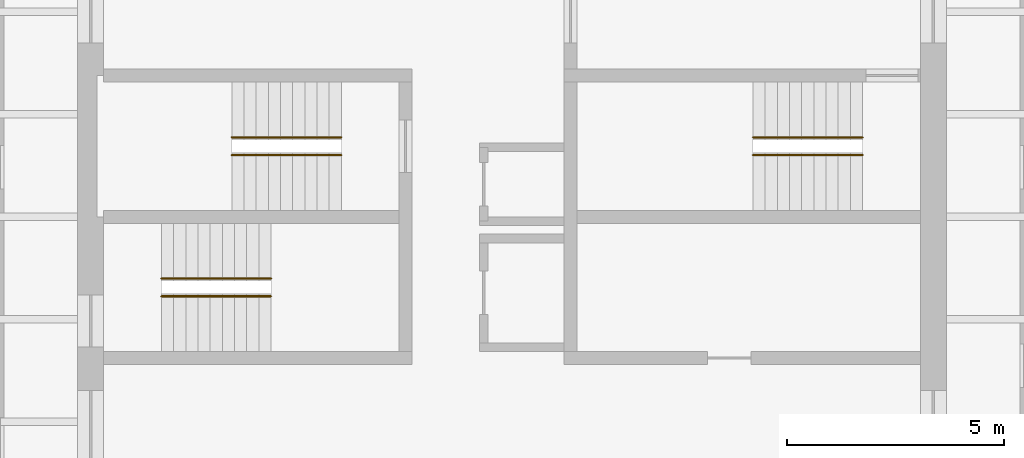
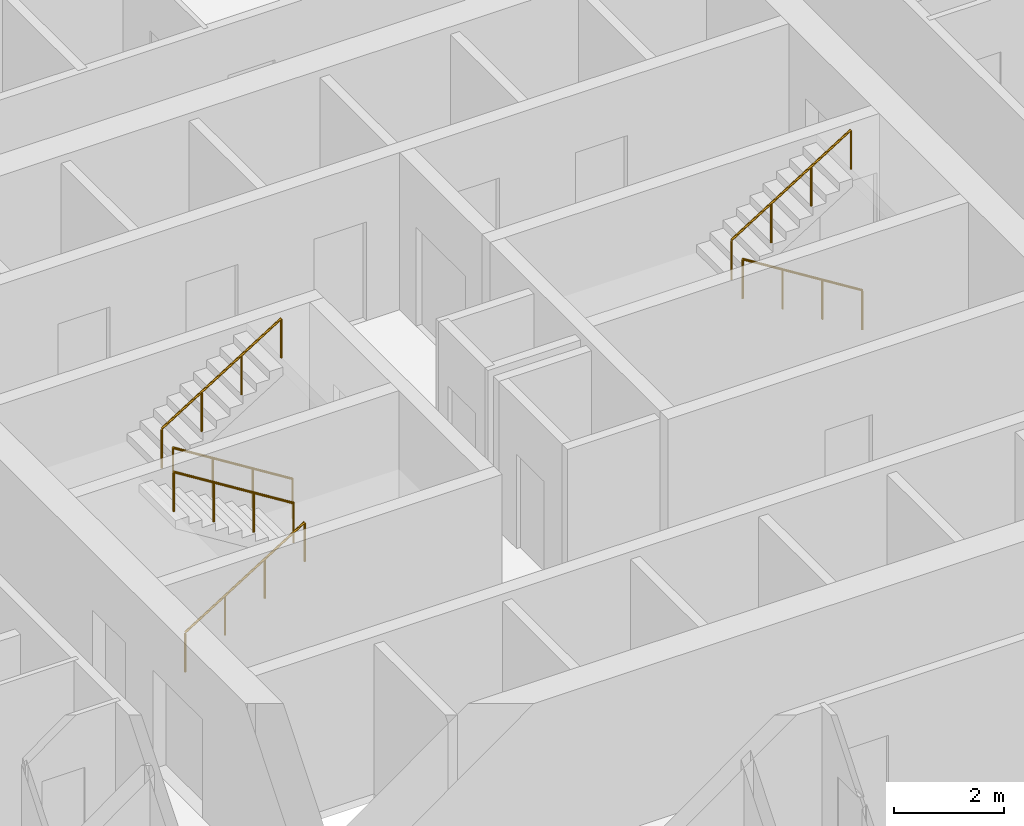
# One storey, part 9 of 9: 6 railings.
"""IFC4 building model written with IfcOpenShell, lengths in metres."""

from ifc_helpers import new_model, si_unit, direction, frame, origin, origin_2d, place, context, subcontext, project, spatial, circle, extrude, material, type_object, element, save


model = new_model("IFC4")

# Units and contexts
model_context = context("Model", 3, precision=1e-05, world=origin(), true_north=direction((0.0, 1.0)))
body_context = subcontext(model_context, "Body", "Model", "MODEL_VIEW")
ifc_project = project(units=[si_unit("LENGTHUNIT", "METRE"), si_unit("AREAUNIT", "SQUARE_METRE"), si_unit("VOLUMEUNIT", "CUBIC_METRE"), si_unit("PLANEANGLEUNIT", "RADIAN"), si_unit("MASSUNIT", "GRAM", prefix="KILO")], contexts=[model_context])

# Site, building, storey
site_placement = place(None, origin())
site = spatial("IfcSite", under=ifc_project, at=site_placement, CompositionType="ELEMENT")
building_placement = place(site_placement, origin())
building = spatial("IfcBuilding", under=site, at=building_placement, Name="Turquesa Mirador Hotel Tower", CompositionType="ELEMENT")
storey_placement = place(building_placement, frame((0.0, 0.0, 124.89990234375)))
storey = spatial("IfcBuildingStorey", under=building, at=storey_placement, Name="L33", CompositionType="ELEMENT", Elevation=124.89990234375)

# Railings
ifc_material = material(Name="Painted steel handrail", Category="steel")
railing_type = type_object("IfcRailingType", Name="HANDRAIL 900 STEEL", PredefinedType="HANDRAIL", material=ifc_material)
railing_1_placement = place(storey_placement, frame((51.070068359375, 46.419921875, 0.175048828125)))
element("IfcRailing", 1, at=railing_1_placement, inside=storey, type_object=railing_type, Name="Handrail ST1", PredefinedType="HANDRAIL", context=body_context, shape_type="SweptSolid", body=[
    extrude(circle(Radius=0.02392578125, at=origin_2d()), frame((0.0, 0.0, 0.8759765625), z_axis=(-0.848007534815, 0.0, 0.529984170421), x_axis=(0.0, -1.0, 0.0)), (0.0, 0.0, 1.0), 2.9716796875),
    extrude(circle(Radius=0.02099609375, at=origin_2d()), origin(), (0.0, 0.0, 1.0), 0.851806640625),
    extrude(circle(Radius=0.02099609375, at=origin_2d()), frame((-0.840087890625, 0.0, 0.52490234375)), (0.0, 0.0, 1.0), 0.851806640625),
    extrude(circle(Radius=0.02099609375, at=origin_2d()), frame((-1.679931640625, 0.0, 1.050048828125)), (0.0, 0.0, 1.0), 0.851806640625),
    extrude(circle(Radius=0.02099609375, at=origin_2d()), frame((-2.52001953125, 0.0, 1.574951171875)), (0.0, 0.0, 1.0), 0.851806640625),
])
for number, where, name in (
    (2, (48.550048828125, 46.830078125, 1.925048828125), "Handrail ST1"),
    (3, (46.929931640625, 43.169921875, 0.175048828125), "Handrail ST2"),
):
    element("IfcRailing", number, at=place(storey_placement, frame(where)), inside=storey, type_object=railing_type, Name=name, PredefinedType="HANDRAIL", context=body_context, shape_type="SweptSolid", body=[
        extrude(circle(Radius=0.02392578125, at=origin_2d()), frame((0.0, 0.0, 0.8759765625), z_axis=(0.848007534815, 0.0, 0.529984170421), x_axis=(0.0, 1.0, 0.0)), (0.0, 0.0, 1.0), 2.9716796875),
        extrude(circle(Radius=0.02099609375, at=origin_2d()), origin(), (0.0, 0.0, 1.0), 0.851806640625),
        extrude(circle(Radius=0.02099609375, at=origin_2d()), frame((0.840087890625, 0.0, 0.52490234375)), (0.0, 0.0, 1.0), 0.851806640625),
        extrude(circle(Radius=0.02099609375, at=origin_2d()), frame((1.679931640625, 0.0, 1.050048828125)), (0.0, 0.0, 1.0), 0.851806640625),
        extrude(circle(Radius=0.02099609375, at=origin_2d()), frame((2.52001953125, 0.0, 1.574951171875)), (0.0, 0.0, 1.0), 0.851806640625),
    ])
for number, where, name in (
    (4, (49.449951171875, 43.580078125, 1.925048828125), "Handrail ST2"),
    (5, (63.070068359375, 46.419921875, 0.175048828125), "Handrail ST3"),
):
    element("IfcRailing", number, at=place(storey_placement, frame(where)), inside=storey, type_object=railing_type, Name=name, PredefinedType="HANDRAIL", context=body_context, shape_type="SweptSolid", body=[
        extrude(circle(Radius=0.02392578125, at=origin_2d()), frame((0.0, 0.0, 0.8759765625), z_axis=(-0.848007534815, 0.0, 0.529984170421), x_axis=(0.0, -1.0, 0.0)), (0.0, 0.0, 1.0), 2.9716796875),
        extrude(circle(Radius=0.02099609375, at=origin_2d()), origin(), (0.0, 0.0, 1.0), 0.851806640625),
        extrude(circle(Radius=0.02099609375, at=origin_2d()), frame((-0.840087890625, 0.0, 0.52490234375)), (0.0, 0.0, 1.0), 0.851806640625),
        extrude(circle(Radius=0.02099609375, at=origin_2d()), frame((-1.679931640625, 0.0, 1.050048828125)), (0.0, 0.0, 1.0), 0.851806640625),
        extrude(circle(Radius=0.02099609375, at=origin_2d()), frame((-2.52001953125, 0.0, 1.574951171875)), (0.0, 0.0, 1.0), 0.851806640625),
    ])
railing_2_placement = place(storey_placement, frame((60.550048828125, 46.830078125, 1.925048828125)))
element("IfcRailing", 6, at=railing_2_placement, inside=storey, type_object=railing_type, Name="Handrail ST3", PredefinedType="HANDRAIL", context=body_context, shape_type="SweptSolid", body=[
    extrude(circle(Radius=0.02392578125, at=origin_2d()), frame((0.0, 0.0, 0.8759765625), z_axis=(0.848007534815, 0.0, 0.529984170421), x_axis=(0.0, 1.0, 0.0)), (0.0, 0.0, 1.0), 2.9716796875),
    extrude(circle(Radius=0.02099609375, at=origin_2d()), origin(), (0.0, 0.0, 1.0), 0.851806640625),
    extrude(circle(Radius=0.02099609375, at=origin_2d()), frame((0.840087890625, 0.0, 0.52490234375)), (0.0, 0.0, 1.0), 0.851806640625),
    extrude(circle(Radius=0.02099609375, at=origin_2d()), frame((1.679931640625, 0.0, 1.050048828125)), (0.0, 0.0, 1.0), 0.851806640625),
    extrude(circle(Radius=0.02099609375, at=origin_2d()), frame((2.52001953125, 0.0, 1.574951171875)), (0.0, 0.0, 1.0), 0.851806640625),
])

save(model, "model.ifc")
